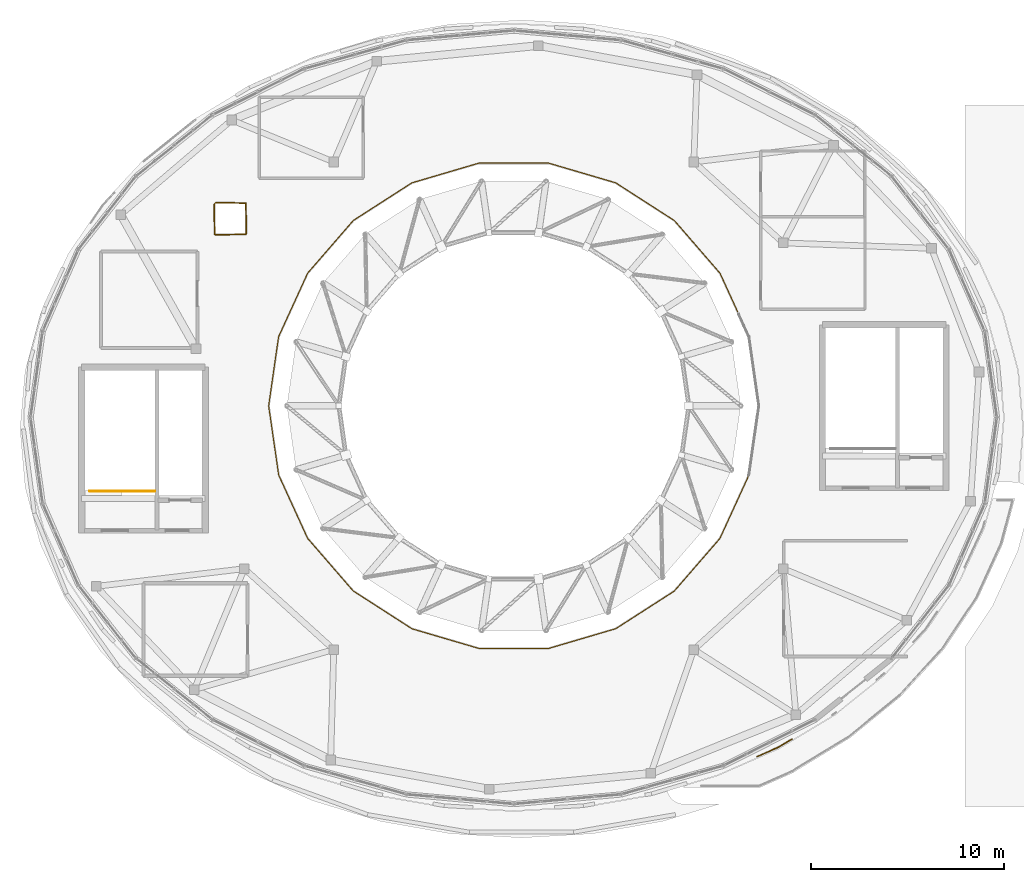
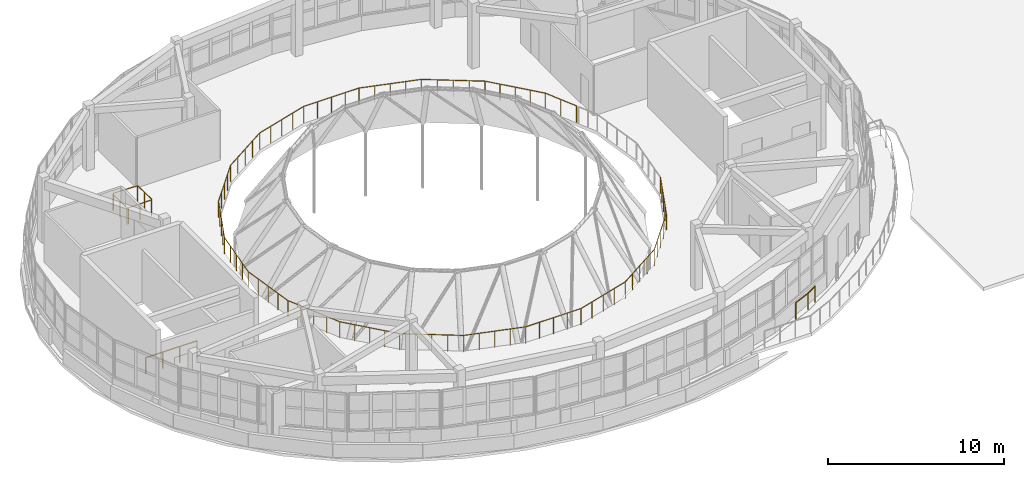
# One storey, part 36 of 38: 5 railings.
"""IFC4 building model written with IfcOpenShell, lengths in metres."""

from ifc_helpers import new_model, si_unit, direction, frame, origin, origin_2d, place, context, subcontext, project, spatial, circle, extrude, material, type_object, element, save


model = new_model("IFC4")

# Units and contexts
model_context = context("Model", 3, precision=1e-05, world=origin(), true_north=direction((0.0, 1.0)))
body_context = subcontext(model_context, "Body", "Model", "MODEL_VIEW")
ifc_project = project(units=[si_unit("LENGTHUNIT", "METRE"), si_unit("AREAUNIT", "SQUARE_METRE"), si_unit("VOLUMEUNIT", "CUBIC_METRE"), si_unit("PLANEANGLEUNIT", "RADIAN"), si_unit("MASSUNIT", "GRAM", prefix="KILO")], contexts=[model_context])

# Site, building, storey
site_placement = place(None, origin())
site = spatial("IfcSite", under=ifc_project, at=site_placement, CompositionType="ELEMENT")
building_placement = place(site_placement, origin())
building = spatial("IfcBuilding", under=site, at=building_placement, Name="Pelvatis Terrace Science Centre", CompositionType="ELEMENT")
storey_placement = place(building_placement, frame((0.0, 0.0, 24.300048828125)))
storey = spatial("IfcBuildingStorey", under=building, at=storey_placement, Name="L05", CompositionType="ELEMENT", Elevation=24.300048828125)

# Railings
ifc_material_1 = material(Name="Bronze-anodised aluminium and laminated safety glass balustrade", Category="aluminium")
railing_type_1 = type_object("IfcRailingType", Name="RLG-BAL-1150", PredefinedType="BALUSTRADE", material=ifc_material_1)
railing_1_placement = place(storey_placement, frame((123.615478515625, 68.51904296875, 0.0)))
element("IfcRailing", 1, at=railing_1_placement, inside=storey, type_object=railing_type_1, Name="Perimeter edge balustrade RLG-EDG-L05-459", PredefinedType="BALUSTRADE", context=body_context, shape_type="SweptSolid", body=[
    extrude(circle(Radius=0.02392578125, at=origin_2d()), frame((0.0, 0.0, 1.1259765625), z_axis=(-0.857050982718, -0.515231611047, 0.0), x_axis=(0.515231611047, -0.857050982718, 0.0)), (0.0, 0.0, 1.0), 0.829345703125),
    extrude(circle(Radius=0.02392578125, at=origin_2d()), frame((-0.710693359375, -0.42724609375, 1.1259765625), z_axis=(-0.915830751134, -0.401564484581, 0.0), x_axis=(0.401564484581, -0.915830751134, 0.0)), (0.0, 0.0, 1.0), 1.18505859375),
    extrude(circle(Radius=0.02099609375, at=origin_2d()), origin(), (0.0, 0.0, 1.0), 1.101806640625),
    extrude(circle(Radius=0.02099609375, at=origin_2d()), frame((-0.710693359375, -0.42724609375, 0.0)), (0.0, 0.0, 1.0), 1.101806640625),
    extrude(circle(Radius=0.02099609375, at=origin_2d()), frame((-1.7958984375, -0.903076171875, 0.0)), (0.0, 0.0, 1.0), 1.101806640625),
])
railing_2_placement = place(storey_placement, frame((120.800048828125, 90.685546875, 0.0)))
element("IfcRailing", 2, at=railing_2_placement, inside=storey, type_object=railing_type_1, Name="Perimeter edge balustrade RLG-EDG-L05-475", PredefinedType="BALUSTRADE", context=body_context, shape_type="SweptSolid", body=[
    extrude(circle(Radius=0.02392578125, at=origin_2d()), frame((0.0, 0.0, 1.1259765625), z_axis=(-0.415931367762, 0.909396006871, 0.0), x_axis=(-0.909396006871, -0.415931367762, 0.0)), (0.0, 0.0, 1.0), 2.185302734375),
    extrude(circle(Radius=0.02392578125, at=origin_2d()), frame((-0.908935546875, 1.9873046875, 1.1259765625), z_axis=(-0.654731950897, 0.755861146292, 0.0), x_axis=(-0.755861146292, -0.654731950897, 0.0)), (0.0, 0.0, 1.0), 3.604248046875),
    extrude(circle(Radius=0.02392578125, at=origin_2d()), frame((-3.268798828125, 4.711669921875, 1.1259765625), z_axis=(-0.840781767418, 0.541374195523, 0.0), x_axis=(-0.541374195523, -0.840781767418, 0.0)), (0.0, 0.0, 1.0), 3.621337890625),
    extrude(circle(Radius=0.02392578125, at=origin_2d()), frame((-6.3134765625, 6.672119140625, 1.1259765625), z_axis=(-0.959421220258, 0.281976811314, 0.0), x_axis=(-0.281976811314, -0.959421220258, 0.0)), (0.0, 0.0, 1.0), 3.626953125),
    extrude(circle(Radius=0.02392578125, at=origin_2d()), frame((-9.793212890625, 7.69482421875, 1.1259765625), z_axis=(-0.999999918266, -0.000404312635, 0.0), x_axis=(0.000404312635, -0.999999918266, 0.0)), (0.0, 0.0, 1.0), 3.623046875),
    extrude(circle(Radius=0.02392578125, at=origin_2d()), frame((-13.416259765625, 7.693359375, 1.1259765625), z_axis=(-0.959194759181, -0.28274620061, 0.0), x_axis=(0.28274620061, -0.959194759181, 0.0)), (0.0, 0.0, 1.0), 3.6240234375),
    extrude(circle(Radius=0.02392578125, at=origin_2d()), frame((-16.892333984375, 6.668701171875, 1.1259765625), z_axis=(-0.841134421526, -0.540826113389, 0.0), x_axis=(0.540826113389, -0.841134421526, 0.0)), (0.0, 0.0, 1.0), 3.6015625),
    extrude(circle(Radius=0.02392578125, at=origin_2d()), frame((-19.921630859375, 4.720947265625, 1.1259765625), z_axis=(-0.655108410143, -0.755534890631, 0.0), x_axis=(0.755534890631, -0.655108410143, 0.0)), (0.0, 0.0, 1.0), 3.605224609375),
    extrude(circle(Radius=0.02392578125, at=origin_2d()), frame((-22.283447265625, 1.9970703125, 1.1259765625), z_axis=(-0.416249328804, -0.909250513484, 0.0), x_axis=(0.909250513484, -0.416249328804, 0.0)), (0.0, 0.0, 1.0), 3.62939453125),
    extrude(circle(Radius=0.02392578125, at=origin_2d()), frame((-23.794189453125, -1.302978515625, 1.1259765625), z_axis=(-0.142033892395, -0.989861795106, 0.0), x_axis=(0.989861795106, -0.142033892395, 0.0)), (0.0, 0.0, 1.0), 3.626953125),
    extrude(circle(Radius=0.02392578125, at=origin_2d()), frame((-24.309326171875, -4.89306640625, 1.1259765625), z_axis=(0.14335448584, -0.989671405765, 0.0), x_axis=(0.989671405765, 0.14335448584, 0.0)), (0.0, 0.0, 1.0), 3.6240234375),
    extrude(circle(Radius=0.02392578125, at=origin_2d()), frame((-23.789794921875, -8.479736328125, 1.1259765625), z_axis=(0.415735753892, -0.909485449546, 0.0), x_axis=(0.909485449546, 0.415735753892, 0.0)), (0.0, 0.0, 1.0), 3.605224609375),
    extrude(circle(Radius=0.02392578125, at=origin_2d()), frame((-22.291015625, -11.758544921875, 1.1259765625), z_axis=(0.654724044374, -0.755867994903, 0.0), x_axis=(0.755867994903, 0.654724044374, 0.0)), (0.0, 0.0, 1.0), 3.601318359375),
    extrude(circle(Radius=0.02392578125, at=origin_2d()), frame((-19.93310546875, -14.480712890625, 1.1259765625), z_axis=(0.840752037137, -0.541420365382, 0.0), x_axis=(0.541420365382, 0.840752037137, 0.0)), (0.0, 0.0, 1.0), 3.62939453125),
    extrude(circle(Radius=0.02392578125, at=origin_2d()), frame((-16.881591796875, -16.44580078125, 1.1259765625), z_axis=(0.959465382615, -0.281826506141, 0.0), x_axis=(0.281826506141, 0.959465382615, 0.0)), (0.0, 0.0, 1.0), 3.61767578125),
    extrude(circle(Radius=0.02392578125, at=origin_2d()), frame((-13.41064453125, -17.46533203125, 1.1259765625), z_axis=(1.0, 0.0, 0.0), x_axis=(0.0, 1.0, 0.0)), (0.0, 0.0, 1.0), 3.621337890625),
    extrude(circle(Radius=0.02392578125, at=origin_2d()), frame((-9.789306640625, -17.46533203125, 1.1259765625), z_axis=(0.959240083014, 0.282592397527, 0.0), x_axis=(-0.282592397527, 0.959240083014, 0.0)), (0.0, 0.0, 1.0), 3.62939453125),
    extrude(circle(Radius=0.02392578125, at=origin_2d()), frame((-6.307861328125, -16.439697265625, 1.1259765625), z_axis=(0.841134421526, 0.540826113389, 0.0), x_axis=(-0.540826113389, 0.841134421526, 0.0)), (0.0, 0.0, 1.0), 3.6015625),
    extrude(circle(Radius=0.02392578125, at=origin_2d()), frame((-3.278564453125, -14.491943359375, 1.1259765625), z_axis=(0.65518058132, 0.755472306482, 0.0), x_axis=(-0.755472306482, 0.65518058132, 0.0)), (0.0, 0.0, 1.0), 3.605224609375),
    extrude(circle(Radius=0.02392578125, at=origin_2d()), frame((-0.91650390625, -11.768310546875, 1.1259765625), z_axis=(0.416445532055, 0.909160667226, 0.0), x_axis=(-0.909160667226, 0.416445532055, 0.0)), (0.0, 0.0, 1.0), 3.6171875),
    extrude(circle(Radius=0.02099609375, at=origin_2d()), origin(), (0.0, 0.0, 1.0), 1.101806640625),
    extrude(circle(Radius=0.02099609375, at=origin_2d()), frame((-0.45458984375, 0.99365234375, 0.0)), (0.0, 0.0, 1.0), 1.101806640625),
    extrude(circle(Radius=0.02099609375, at=origin_2d()), frame((-0.908935546875, 1.9873046875, 0.0)), (0.0, 0.0, 1.0), 1.101806640625),
    extrude(circle(Radius=0.02099609375, at=origin_2d()), frame((-1.4990234375, 2.66845703125, 0.0)), (0.0, 0.0, 1.0), 1.101806640625),
    extrude(circle(Radius=0.02099609375, at=origin_2d()), frame((-2.0888671875, 3.349609375, 0.0)), (0.0, 0.0, 1.0), 1.101806640625),
    extrude(circle(Radius=0.02099609375, at=origin_2d()), frame((-2.6787109375, 4.030517578125, 0.0)), (0.0, 0.0, 1.0), 1.101806640625),
    extrude(circle(Radius=0.02099609375, at=origin_2d()), frame((-3.268798828125, 4.711669921875, 0.0)), (0.0, 0.0, 1.0), 1.101806640625),
    extrude(circle(Radius=0.02099609375, at=origin_2d()), frame((-4.030029296875, 5.20166015625, 0.0)), (0.0, 0.0, 1.0), 1.101806640625),
    extrude(circle(Radius=0.02099609375, at=origin_2d()), frame((-4.791015625, 5.69189453125, 0.0)), (0.0, 0.0, 1.0), 1.101806640625),
    extrude(circle(Radius=0.02099609375, at=origin_2d()), frame((-5.55224609375, 6.18212890625, 0.0)), (0.0, 0.0, 1.0), 1.101806640625),
    extrude(circle(Radius=0.02099609375, at=origin_2d()), frame((-6.3134765625, 6.672119140625, 0.0)), (0.0, 0.0, 1.0), 1.101806640625),
    extrude(circle(Radius=0.02099609375, at=origin_2d()), frame((-7.183349609375, 6.927734375, 0.0)), (0.0, 0.0, 1.0), 1.101806640625),
    extrude(circle(Radius=0.02099609375, at=origin_2d()), frame((-8.05322265625, 7.18359375, 0.0)), (0.0, 0.0, 1.0), 1.101806640625),
    extrude(circle(Radius=0.02099609375, at=origin_2d()), frame((-8.92333984375, 7.439208984375, 0.0)), (0.0, 0.0, 1.0), 1.101806640625),
    extrude(circle(Radius=0.02099609375, at=origin_2d()), frame((-9.793212890625, 7.69482421875, 0.0)), (0.0, 0.0, 1.0), 1.101806640625),
    extrude(circle(Radius=0.02099609375, at=origin_2d()), frame((-10.698974609375, 7.6943359375, 0.0)), (0.0, 0.0, 1.0), 1.101806640625),
    extrude(circle(Radius=0.02099609375, at=origin_2d()), frame((-11.604736328125, 7.694091796875, 0.0)), (0.0, 0.0, 1.0), 1.101806640625),
    extrude(circle(Radius=0.02099609375, at=origin_2d()), frame((-12.510498046875, 7.69384765625, 0.0)), (0.0, 0.0, 1.0), 1.101806640625),
    extrude(circle(Radius=0.02099609375, at=origin_2d()), frame((-13.416259765625, 7.693359375, 0.0)), (0.0, 0.0, 1.0), 1.101806640625),
    extrude(circle(Radius=0.02099609375, at=origin_2d()), frame((-14.28515625, 7.437255859375, 0.0)), (0.0, 0.0, 1.0), 1.101806640625),
    extrude(circle(Radius=0.02099609375, at=origin_2d()), frame((-15.154296875, 7.18115234375, 0.0)), (0.0, 0.0, 1.0), 1.101806640625),
    extrude(circle(Radius=0.02099609375, at=origin_2d()), frame((-16.0234375, 6.9248046875, 0.0)), (0.0, 0.0, 1.0), 1.101806640625),
    extrude(circle(Radius=0.02099609375, at=origin_2d()), frame((-16.892333984375, 6.668701171875, 0.0)), (0.0, 0.0, 1.0), 1.101806640625),
    extrude(circle(Radius=0.02099609375, at=origin_2d()), frame((-17.649658203125, 6.181640625, 0.0)), (0.0, 0.0, 1.0), 1.101806640625),
    extrude(circle(Radius=0.02099609375, at=origin_2d()), frame((-18.406982421875, 5.69482421875, 0.0)), (0.0, 0.0, 1.0), 1.101806640625),
    extrude(circle(Radius=0.02099609375, at=origin_2d()), frame((-19.164306640625, 5.2080078125, 0.0)), (0.0, 0.0, 1.0), 1.101806640625),
    extrude(circle(Radius=0.02099609375, at=origin_2d()), frame((-19.921630859375, 4.720947265625, 0.0)), (0.0, 0.0, 1.0), 1.101806640625),
    extrude(circle(Radius=0.02099609375, at=origin_2d()), frame((-20.51220703125, 4.0400390625, 0.0)), (0.0, 0.0, 1.0), 1.101806640625),
    extrude(circle(Radius=0.02099609375, at=origin_2d()), frame((-21.1025390625, 3.35888671875, 0.0)), (0.0, 0.0, 1.0), 1.101806640625),
    extrude(circle(Radius=0.02099609375, at=origin_2d()), frame((-21.69287109375, 2.677978515625, 0.0)), (0.0, 0.0, 1.0), 1.101806640625),
    extrude(circle(Radius=0.02099609375, at=origin_2d()), frame((-22.283447265625, 1.9970703125, 0.0)), (0.0, 0.0, 1.0), 1.101806640625),
    extrude(circle(Radius=0.02099609375, at=origin_2d()), frame((-22.6611328125, 1.172119140625, 0.0)), (0.0, 0.0, 1.0), 1.101806640625),
    extrude(circle(Radius=0.02099609375, at=origin_2d()), frame((-23.038818359375, 0.34716796875, 0.0)), (0.0, 0.0, 1.0), 1.101806640625),
    extrude(circle(Radius=0.02099609375, at=origin_2d()), frame((-23.41650390625, -0.47802734375, 0.0)), (0.0, 0.0, 1.0), 1.101806640625),
    extrude(circle(Radius=0.02099609375, at=origin_2d()), frame((-23.794189453125, -1.302978515625, 0.0)), (0.0, 0.0, 1.0), 1.101806640625),
    extrude(circle(Radius=0.02099609375, at=origin_2d()), frame((-23.9228515625, -2.200439453125, 0.0)), (0.0, 0.0, 1.0), 1.101806640625),
    extrude(circle(Radius=0.02099609375, at=origin_2d()), frame((-24.0517578125, -3.09814453125, 0.0)), (0.0, 0.0, 1.0), 1.101806640625),
    extrude(circle(Radius=0.02099609375, at=origin_2d()), frame((-24.1806640625, -3.99560546875, 0.0)), (0.0, 0.0, 1.0), 1.101806640625),
    extrude(circle(Radius=0.02099609375, at=origin_2d()), frame((-24.309326171875, -4.89306640625, 0.0)), (0.0, 0.0, 1.0), 1.101806640625),
    extrude(circle(Radius=0.02099609375, at=origin_2d()), frame((-24.179443359375, -5.789794921875, 0.0)), (0.0, 0.0, 1.0), 1.101806640625),
    extrude(circle(Radius=0.02099609375, at=origin_2d()), frame((-24.049560546875, -6.6865234375, 0.0)), (0.0, 0.0, 1.0), 1.101806640625),
    extrude(circle(Radius=0.02099609375, at=origin_2d()), frame((-23.919677734375, -7.5830078125, 0.0)), (0.0, 0.0, 1.0), 1.101806640625),
    extrude(circle(Radius=0.02099609375, at=origin_2d()), frame((-23.789794921875, -8.479736328125, 0.0)), (0.0, 0.0, 1.0), 1.101806640625),
    extrude(circle(Radius=0.02099609375, at=origin_2d()), frame((-23.4150390625, -9.29931640625, 0.0)), (0.0, 0.0, 1.0), 1.101806640625),
    extrude(circle(Radius=0.02099609375, at=origin_2d()), frame((-23.04052734375, -10.119140625, 0.0)), (0.0, 0.0, 1.0), 1.101806640625),
    extrude(circle(Radius=0.02099609375, at=origin_2d()), frame((-22.665771484375, -10.93896484375, 0.0)), (0.0, 0.0, 1.0), 1.101806640625),
    extrude(circle(Radius=0.02099609375, at=origin_2d()), frame((-22.291015625, -11.758544921875, 0.0)), (0.0, 0.0, 1.0), 1.101806640625),
    extrude(circle(Radius=0.02099609375, at=origin_2d()), frame((-21.70166015625, -12.43896484375, 0.0)), (0.0, 0.0, 1.0), 1.101806640625),
    extrude(circle(Radius=0.02099609375, at=origin_2d()), frame((-21.112060546875, -13.11962890625, 0.0)), (0.0, 0.0, 1.0), 1.101806640625),
    extrude(circle(Radius=0.02099609375, at=origin_2d()), frame((-20.5224609375, -13.80029296875, 0.0)), (0.0, 0.0, 1.0), 1.101806640625),
    extrude(circle(Radius=0.02099609375, at=origin_2d()), frame((-19.93310546875, -14.480712890625, 0.0)), (0.0, 0.0, 1.0), 1.101806640625),
    extrude(circle(Radius=0.02099609375, at=origin_2d()), frame((-19.170166015625, -14.971923828125, 0.0)), (0.0, 0.0, 1.0), 1.101806640625),
    extrude(circle(Radius=0.02099609375, at=origin_2d()), frame((-18.4072265625, -15.46337890625, 0.0)), (0.0, 0.0, 1.0), 1.101806640625),
    extrude(circle(Radius=0.02099609375, at=origin_2d()), frame((-17.64453125, -15.95458984375, 0.0)), (0.0, 0.0, 1.0), 1.101806640625),
    extrude(circle(Radius=0.02099609375, at=origin_2d()), frame((-16.881591796875, -16.44580078125, 0.0)), (0.0, 0.0, 1.0), 1.101806640625),
    extrude(circle(Radius=0.02099609375, at=origin_2d()), frame((-16.013916015625, -16.70068359375, 0.0)), (0.0, 0.0, 1.0), 1.101806640625),
    extrude(circle(Radius=0.02099609375, at=origin_2d()), frame((-15.14599609375, -16.95556640625, 0.0)), (0.0, 0.0, 1.0), 1.101806640625),
    extrude(circle(Radius=0.02099609375, at=origin_2d()), frame((-14.2783203125, -17.21044921875, 0.0)), (0.0, 0.0, 1.0), 1.101806640625),
    extrude(circle(Radius=0.02099609375, at=origin_2d()), frame((-13.41064453125, -17.46533203125, 0.0)), (0.0, 0.0, 1.0), 1.101806640625),
    extrude(circle(Radius=0.02099609375, at=origin_2d()), frame((-12.50537109375, -17.46533203125, 0.0)), (0.0, 0.0, 1.0), 1.101806640625),
    extrude(circle(Radius=0.02099609375, at=origin_2d()), frame((-11.60009765625, -17.46533203125, 0.0)), (0.0, 0.0, 1.0), 1.101806640625),
    extrude(circle(Radius=0.02099609375, at=origin_2d()), frame((-10.694580078125, -17.46533203125, 0.0)), (0.0, 0.0, 1.0), 1.101806640625),
    extrude(circle(Radius=0.02099609375, at=origin_2d()), frame((-9.789306640625, -17.46533203125, 0.0)), (0.0, 0.0, 1.0), 1.101806640625),
    extrude(circle(Radius=0.02099609375, at=origin_2d()), frame((-8.9189453125, -17.208984375, 0.0)), (0.0, 0.0, 1.0), 1.101806640625),
    extrude(circle(Radius=0.02099609375, at=origin_2d()), frame((-8.048583984375, -16.95263671875, 0.0)), (0.0, 0.0, 1.0), 1.101806640625),
    extrude(circle(Radius=0.02099609375, at=origin_2d()), frame((-7.17822265625, -16.696044921875, 0.0)), (0.0, 0.0, 1.0), 1.101806640625),
    extrude(circle(Radius=0.02099609375, at=origin_2d()), frame((-6.307861328125, -16.439697265625, 0.0)), (0.0, 0.0, 1.0), 1.101806640625),
    extrude(circle(Radius=0.02099609375, at=origin_2d()), frame((-5.550537109375, -15.95263671875, 0.0)), (0.0, 0.0, 1.0), 1.101806640625),
    extrude(circle(Radius=0.02099609375, at=origin_2d()), frame((-4.793212890625, -15.4658203125, 0.0)), (0.0, 0.0, 1.0), 1.101806640625),
    extrude(circle(Radius=0.02099609375, at=origin_2d()), frame((-4.035888671875, -14.97900390625, 0.0)), (0.0, 0.0, 1.0), 1.101806640625),
    extrude(circle(Radius=0.02099609375, at=origin_2d()), frame((-3.278564453125, -14.491943359375, 0.0)), (0.0, 0.0, 1.0), 1.101806640625),
    extrude(circle(Radius=0.02099609375, at=origin_2d()), frame((-2.68798828125, -13.81103515625, 0.0)), (0.0, 0.0, 1.0), 1.101806640625),
    extrude(circle(Radius=0.02099609375, at=origin_2d()), frame((-2.09765625, -13.130126953125, 0.0)), (0.0, 0.0, 1.0), 1.101806640625),
    extrude(circle(Radius=0.02099609375, at=origin_2d()), frame((-1.507080078125, -12.44921875, 0.0)), (0.0, 0.0, 1.0), 1.101806640625),
    extrude(circle(Radius=0.02099609375, at=origin_2d()), frame((-0.91650390625, -11.768310546875, 0.0)), (0.0, 0.0, 1.0), 1.101806640625),
    extrude(circle(Radius=0.02099609375, at=origin_2d()), frame((-0.5400390625, -10.9462890625, 0.0)), (0.0, 0.0, 1.0), 1.101806640625),
    extrude(circle(Radius=0.02099609375, at=origin_2d()), frame((-0.163330078125, -10.1240234375, 0.0)), (0.0, 0.0, 1.0), 1.101806640625),
    extrude(circle(Radius=0.02099609375, at=origin_2d()), frame((0.21337890625, -9.3017578125, 0.0)), (0.0, 0.0, 1.0), 1.101806640625),
    extrude(circle(Radius=0.02099609375, at=origin_2d()), frame((0.58984375, -8.479736328125, 0.0)), (0.0, 0.0, 1.0), 1.101806640625),
])
railing_3_placement = place(storey_placement, frame((93.764892578125, 96.3349609375, 0.0)))
element("IfcRailing", 3, at=railing_3_placement, inside=storey, type_object=railing_type_1, Name="Perimeter edge balustrade RLG-EDG-L05-476", PredefinedType="BALUSTRADE", context=body_context, shape_type="SweptSolid", body=[
    extrude(circle(Radius=0.02392578125, at=origin_2d()), frame((0.0, 0.0, 1.1259765625), z_axis=(-0.716678588369, -0.69740361411, 0.0), x_axis=(0.69740361411, -0.716678588369, 0.0)), (0.0, 0.0, 1.0), 0.139404296875),
    extrude(circle(Radius=0.02392578125, at=origin_2d()), frame((-0.099853515625, -0.09716796875, 1.1259765625), z_axis=(0.017735569178, -0.999842712423, 0.0), x_axis=(0.999842712423, 0.017735569178, 0.0)), (0.0, 0.0, 1.0), 1.541748046875),
    extrude(circle(Radius=0.02392578125, at=origin_2d()), frame((-0.072509765625, -1.638671875, 1.1259765625), z_axis=(0.918343463967, -0.395784388511, 0.0), x_axis=(0.395784388511, 0.918343463967, 0.0)), (0.0, 0.0, 1.0), 0.078857421875),
    extrude(circle(Radius=0.02392578125, at=origin_2d()), frame((0.0, -1.669921875, 1.1259765625), z_axis=(0.999842163078, 0.017766511544, 0.0), x_axis=(-0.017766511544, 0.999842163078, 0.0)), (0.0, 0.0, 1.0), 1.5390625),
    extrude(circle(Radius=0.02099609375, at=origin_2d()), origin(), (0.0, 0.0, 1.0), 1.101806640625),
    extrude(circle(Radius=0.02099609375, at=origin_2d()), frame((-0.099853515625, -0.09716796875, 0.0)), (0.0, 0.0, 1.0), 1.101806640625),
    extrude(circle(Radius=0.02099609375, at=origin_2d()), frame((-0.086181640625, -0.867919921875, 0.0)), (0.0, 0.0, 1.0), 1.101806640625),
    extrude(circle(Radius=0.02099609375, at=origin_2d()), frame((-0.072509765625, -1.638671875, 0.0)), (0.0, 0.0, 1.0), 1.101806640625),
    extrude(circle(Radius=0.02099609375, at=origin_2d()), frame((0.0, -1.669921875, 0.0)), (0.0, 0.0, 1.0), 1.101806640625),
    extrude(circle(Radius=0.02099609375, at=origin_2d()), frame((0.76953125, -1.65625, 0.0)), (0.0, 0.0, 1.0), 1.101806640625),
    extrude(circle(Radius=0.02099609375, at=origin_2d()), frame((1.538818359375, -1.642578125, 0.0)), (0.0, 0.0, 1.0), 1.101806640625),
])
railing_4_placement = place(storey_placement, frame((95.3037109375, 94.6923828125, 0.0)))
element("IfcRailing", 4, at=railing_4_placement, inside=storey, type_object=railing_type_1, Name="Perimeter edge balustrade RLG-EDG-L05-477", PredefinedType="BALUSTRADE", context=body_context, shape_type="SweptSolid", body=[
    extrude(circle(Radius=0.02392578125, at=origin_2d()), frame((0.0, 0.0, 1.1259765625), z_axis=(0.395784388511, 0.918343463967, 0.0), x_axis=(-0.918343463967, 0.395784388511, 0.0)), (0.0, 0.0, 1.0), 0.078857421875),
    extrude(circle(Radius=0.02392578125, at=origin_2d()), frame((0.03125, 0.072509765625, 1.1259765625), z_axis=(-0.017766511544, 0.999842163078, 0.0), x_axis=(-0.999842163078, -0.017766511544, 0.0)), (0.0, 0.0, 1.0), 1.5390625),
    extrude(circle(Radius=0.02392578125, at=origin_2d()), frame((0.00390625, 1.611328125, 1.1259765625), z_axis=(-0.999794902858, 0.020252215155, 0.0), x_axis=(-0.020252215155, -0.999794902858, 0.0)), (0.0, 0.0, 1.0), 1.54296875),
    extrude(circle(Radius=0.02099609375, at=origin_2d()), origin(), (0.0, 0.0, 1.0), 1.101806640625),
    extrude(circle(Radius=0.02099609375, at=origin_2d()), frame((0.03125, 0.072509765625, 0.0)), (0.0, 0.0, 1.0), 1.101806640625),
    extrude(circle(Radius=0.02099609375, at=origin_2d()), frame((0.017578125, 0.841796875, 0.0)), (0.0, 0.0, 1.0), 1.101806640625),
    extrude(circle(Radius=0.02099609375, at=origin_2d()), frame((0.00390625, 1.611328125, 0.0)), (0.0, 0.0, 1.0), 1.101806640625),
    extrude(circle(Radius=0.02099609375, at=origin_2d()), frame((-0.767578125, 1.626953125, 0.0)), (0.0, 0.0, 1.0), 1.101806640625),
    extrude(circle(Radius=0.02099609375, at=origin_2d()), frame((-1.538818359375, 1.642578125, 0.0)), (0.0, 0.0, 1.0), 1.101806640625),
])
ifc_material_2 = material(Name="Brushed architectural bronze tubular railing", Category="steel")
railing_type_2 = type_object("IfcRailingType", Name="RLG-GRD-1120", PredefinedType="GUARDRAIL", material=ifc_material_2)
railing_5_placement = place(storey_placement, frame((87.219970703125, 81.3798828125, 0.0)))
element("IfcRailing", 5, at=railing_5_placement, inside=storey, type_object=railing_type_2, Name="Core C1 top-storey stair well guard", PredefinedType="GUARDRAIL", context=body_context, shape_type="SweptSolid", body=[
    extrude(circle(Radius=0.02392578125, at=origin_2d()), frame((0.0, 0.0, 1.09619140625), z_axis=(1.0, 0.0, 0.0), x_axis=(0.0, 1.0, 0.0)), (0.0, 0.0, 1.0), 3.360107421875),
    extrude(circle(Radius=0.02099609375, at=origin_2d()), origin(), (0.0, 0.0, 1.0), 1.072021484375),
    extrude(circle(Radius=0.02099609375, at=origin_2d()), frame((1.1201171875, 0.0, 0.0)), (0.0, 0.0, 1.0), 1.072021484375),
    extrude(circle(Radius=0.02099609375, at=origin_2d()), frame((2.239990234375, 0.0, 0.0)), (0.0, 0.0, 1.0), 1.072021484375),
    extrude(circle(Radius=0.02099609375, at=origin_2d()), frame((3.360107421875, 0.0, 0.0)), (0.0, 0.0, 1.0), 1.072021484375),
])

save(model, "model.ifc")
